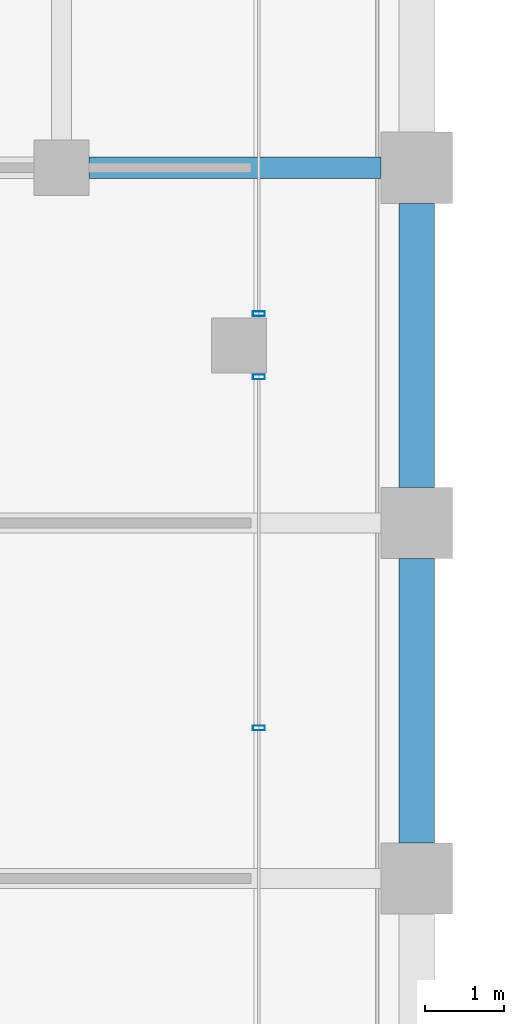
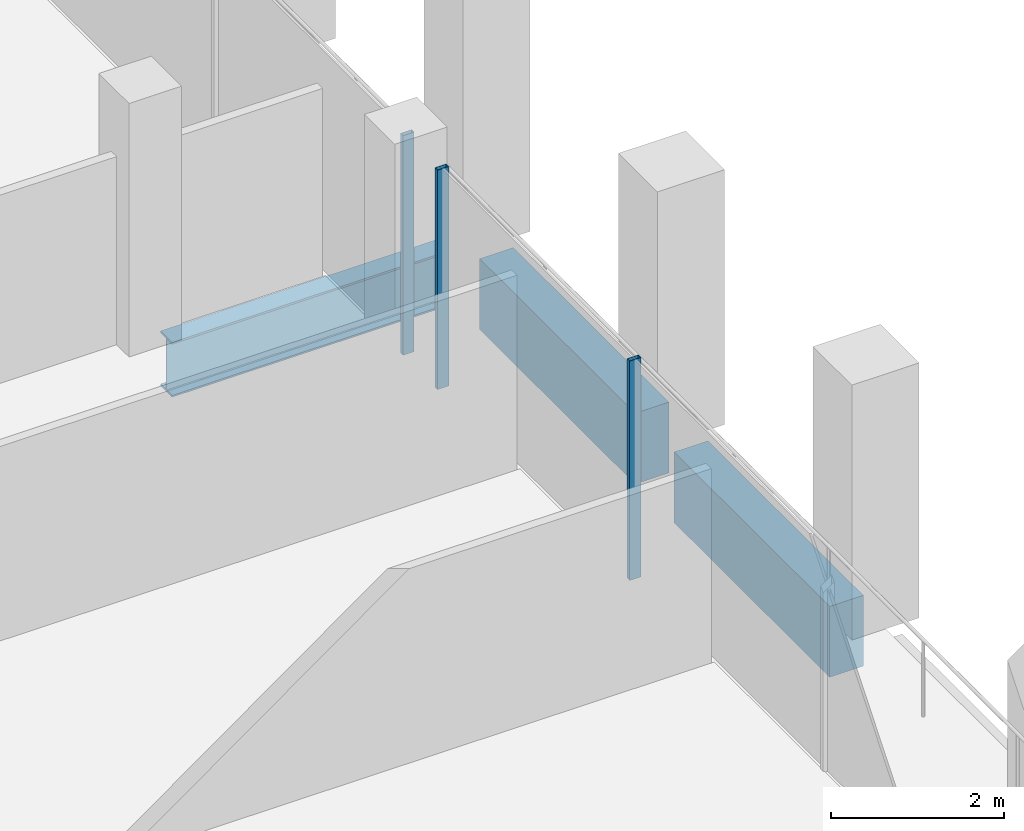
# One storey, part 19 of 40: 3 beams, 3 members, 2 elements without a shape of their own.
"""IFC4 building model written with IfcOpenShell, lengths in metres."""

from ifc_helpers import new_model, si_unit, direction, frame, origin, origin_2d, place, context, subcontext, project, spatial, rectangle, hollow_rectangle, i_section, extrude, material, material_profile, profile_set, type_object, element, aggregate, save


model = new_model("IFC4")

# Units and contexts
model_context = context("Model", 3, precision=1e-05, world=origin(), true_north=direction((0.0, 1.0)))
body_context = subcontext(model_context, "Body", "Model", "MODEL_VIEW")
ifc_project = project(units=[si_unit("LENGTHUNIT", "METRE"), si_unit("AREAUNIT", "SQUARE_METRE"), si_unit("VOLUMEUNIT", "CUBIC_METRE"), si_unit("PLANEANGLEUNIT", "RADIAN"), si_unit("MASSUNIT", "GRAM", prefix="KILO")], contexts=[model_context])

# Site, building, storey
site_placement = place(None, origin())
site = spatial("IfcSite", under=ifc_project, at=site_placement, CompositionType="ELEMENT")
building_placement = place(site_placement, origin())
building = spatial("IfcBuilding", under=site, at=building_placement, Name="Altepetl Exchange Towers", CompositionType="ELEMENT")
storey_placement = place(building_placement, frame((0.0, 0.0, 147.39990234375)))
storey = spatial("IfcBuildingStorey", under=building, at=storey_placement, Name="L36", CompositionType="ELEMENT", Elevation=147.39990234375)

# Beam
ifc_material_1 = material(Name="Steel S355", Category="steel")
ifc_material_profile_1 = material_profile(ifc_material_1, i_section(OverallWidth=0.26806640625, OverallDepth=0.77392578125, WebThickness=0.015380859375, FlangeThickness=0.025390625, at=origin_2d()), Name="W30X132")
ifc_profile_set_1 = profile_set([ifc_material_profile_1], Name="Steel S355")
beam_type_1 = type_object("IfcBeamType", Name="Girder W30X132", PredefinedType="BEAM", material=ifc_profile_set_1)
beam_placement = place(storey_placement, frame((67.85009765625, 58.5, -0.536865234375), z_axis=(1.0, 0.0, 0.0), x_axis=(0.0, 1.0, 0.0)))
element("IfcBeam", 1, at=beam_placement, inside=storey, type_object=beam_type_1, Name="gd:A:L36:002", PredefinedType="BEAM", context=body_context, shape_type="SweptSolid", body=[
    extrude(i_section(OverallWidth=0.26806640625, OverallDepth=0.77392578125, WebThickness=0.015380859375, FlangeThickness=0.025390625, at=origin_2d()), origin(), (0.0, 0.0, 1.0), 3.699951171875),
])

# Curtain wall, members
ifc_material_2 = material(Name="Aluminium 6063-T6 glazing", Category="aluminium")
curtain_wall_type = type_object("IfcCurtainWallType", Name="Loggia glazing system", PredefinedType="NOTDEFINED", material=ifc_material_2)
curtain_wall_1_placement = place(storey_placement, origin())
curtain_wall_1 = element("IfcCurtainWall", 2, at=curtain_wall_1_placement, inside=storey, type_object=curtain_wall_type, Name="CW1 run", PredefinedType="NOTDEFINED")
ifc_material_3 = material(Name="Aluminium 6063-T6", Category="aluminium")
ifc_material_profile_2 = material_profile(ifc_material_3, hollow_rectangle(XDim=0.06005859375, YDim=0.14990234375, WallThickness=0.0029296875, at=origin_2d()), Name="Mullion 60x150 aluminium")
ifc_profile_set_2 = profile_set([ifc_material_profile_2], Name="Aluminium 6063-T6")
member_type = type_object("IfcMemberType", Name="Mullion 60x150 aluminium", PredefinedType="MULLION", material=ifc_profile_set_2)
member_1_placement = place(storey_placement, frame((70.0, 51.404052734375, 0.0), z_axis=(0.0, 0.0, 1.0), x_axis=(0.0, 1.0, 0.0)))
member_1 = element("IfcMember", 3, at=member_1_placement, type_object=member_type, Name="MU1 mullion", PredefinedType="MULLION", context=body_context, shape_type="SweptSolid", body=[
    extrude(hollow_rectangle(XDim=0.06005859375, YDim=0.14990234375, WallThickness=0.0029296875, at=origin_2d()), origin(), (0.0, 0.0, 1.0), 3.10009765625),
])
member_2_placement = place(storey_placement, frame((70.0, 55.85009765625, 0.0), z_axis=(0.0, 0.0, 1.0), x_axis=(0.0, 1.0, 0.0)))
member_2 = element("IfcMember", 4, at=member_2_placement, type_object=member_type, Name="MU1 mullion", PredefinedType="MULLION", context=body_context, shape_type="SweptSolid", body=[
    extrude(hollow_rectangle(XDim=0.06005859375, YDim=0.14990234375, WallThickness=0.0029296875, at=origin_2d()), origin(), (0.0, 0.0, 1.0), 3.10009765625),
])
aggregate(curtain_wall_1, [member_1, member_2])

# Curtain wall, member
curtain_wall_2_placement = place(storey_placement, origin())
curtain_wall_2 = element("IfcCurtainWall", 5, at=curtain_wall_2_placement, inside=storey, type_object=curtain_wall_type, Name="CW1 run", PredefinedType="NOTDEFINED")
member_3_placement = place(storey_placement, frame((70.0, 56.64990234375, 0.0), z_axis=(0.0, 0.0, 1.0), x_axis=(0.0, 1.0, 0.0)))
member_3 = element("IfcMember", 6, at=member_3_placement, type_object=member_type, Name="MU1 mullion", PredefinedType="MULLION", context=body_context, shape_type="SweptSolid", body=[
    extrude(hollow_rectangle(XDim=0.06005859375, YDim=0.14990234375, WallThickness=0.0029296875, at=origin_2d()), origin(), (0.0, 0.0, 1.0), 3.10009765625),
])
aggregate(curtain_wall_2, [member_3])

# Beams
ifc_material_4 = material(Name="Concrete C50/60 precast with cantera amarilla facing", Category="concrete")
ifc_material_profile_3 = material_profile(ifc_material_4, rectangle(XDim=0.449951171875, YDim=1.0, at=origin_2d()), Name="450 x 1000")
ifc_profile_set_3 = profile_set([ifc_material_profile_3], Name="Concrete C50/60 precast with cantera amarilla facing")
beam_type_2 = type_object("IfcBeamType", Name="Spandrel beam 450x1000 cantera amarilla", PredefinedType="SPANDREL", material=ifc_profile_set_3)
for number, where, z_axis, x_axis, name in (
    (7, (72.0, 49.949951171875, -0.64990234375), (0.0, 1.0, 0.0), (-1.0, 0.0, 0.0), "sp:A:L36:016"),
    (8, (72.0, 54.449951171875, -0.64990234375), (0.0, 1.0, 0.0), (-1.0, 0.0, 0.0), "sp:A:L36:017"),
):
    element("IfcBeam", number, at=place(storey_placement, frame(where, z_axis=z_axis, x_axis=x_axis)), inside=storey, type_object=beam_type_2, Name=name, PredefinedType="SPANDREL", context=body_context, shape_type="SweptSolid", body=[
        extrude(rectangle(XDim=0.449951171875, YDim=1.0, at=origin_2d()), origin(), (0.0, 0.0, 1.0), 3.60009765625),
    ])

save(model, "model.ifc")
